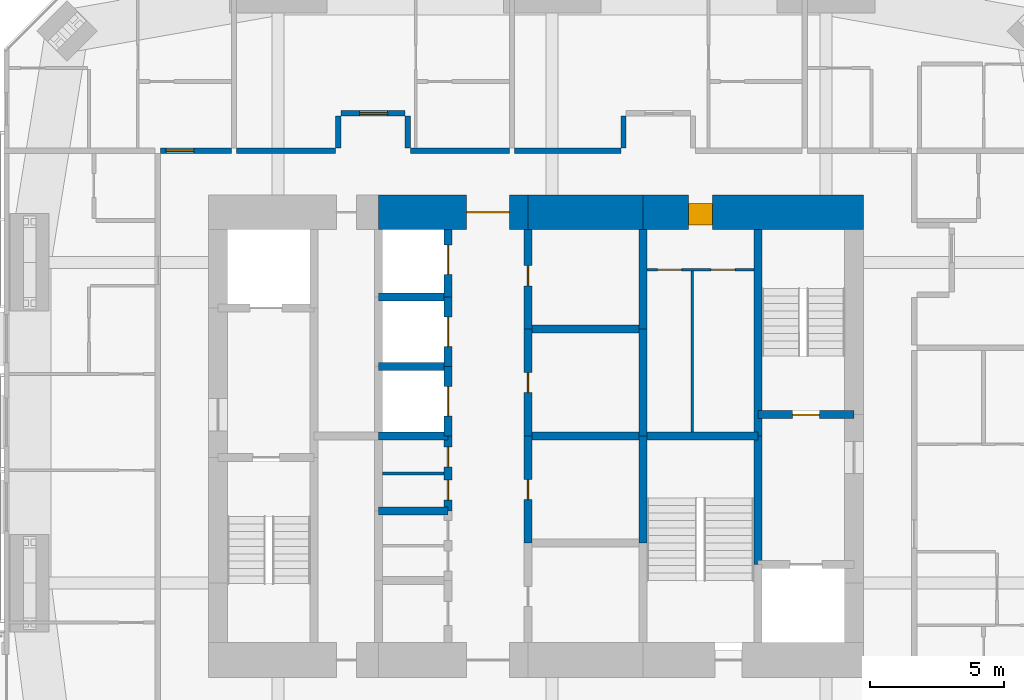
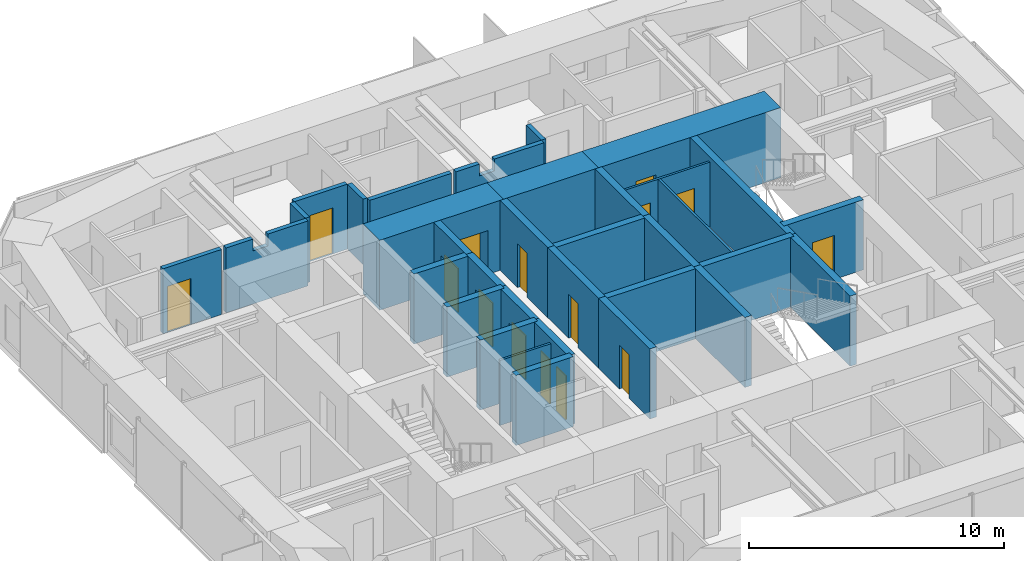
# One storey, part 19 of 23: 34 walls, 15 doors, 15 openings.
"""IFC4 building model written with IfcOpenShell, lengths in metres."""

from ifc_helpers import new_model, si_unit, direction, frame, frame_2d, origin, place, context, subcontext, project, spatial, polyline, rectangle, outline, extrude, material, layer, layer_set, constituent, constituent_set, type_object, element, fill, save


model = new_model("IFC4")

# Units and contexts
model_context = context("Model", 3, precision=1e-05, world=origin(), true_north=direction((0.0, 1.0)))
body_context = subcontext(model_context, "Body", "Model", "MODEL_VIEW")
ifc_project = project(units=[si_unit("LENGTHUNIT", "METRE"), si_unit("AREAUNIT", "SQUARE_METRE"), si_unit("VOLUMEUNIT", "CUBIC_METRE"), si_unit("PLANEANGLEUNIT", "RADIAN"), si_unit("MASSUNIT", "GRAM", prefix="KILO")], contexts=[model_context])

# Site, building, storey
site_placement = place(None, origin())
site = spatial("IfcSite", under=ifc_project, at=site_placement, CompositionType="ELEMENT")
building_placement = place(site_placement, origin())
building = spatial("IfcBuilding", under=site, at=building_placement, Name="Jalousie Tower", CompositionType="ELEMENT")
storey_placement = place(building_placement, frame((0.0, 0.0, 191.199951171875)))
storey = spatial("IfcBuildingStorey", under=building, at=storey_placement, Name="L52", CompositionType="ELEMENT", Elevation=191.199951171875)

# Wall, opening, door
ifc_material_1 = material(Name="Concrete f'c 120 MPa", Category="concrete")
ifc_layer_1 = layer(ifc_material_1, 1.300048828125)
ifc_layer_set_1 = layer_set([ifc_layer_1], Name="Concrete f'c 120 MPa")
wall_type_1 = type_object("IfcWallType", Name="CORE WALL 1300", PredefinedType="SHEAR", material=ifc_layer_set_1)
wall_1_placement = place(storey_placement, frame((44.14990234375, 26.875, 0.0), z_axis=(0.0, 0.0, 1.0), x_axis=(-1.0, 0.0, 0.0)))
wall_1 = element("IfcWall", 1, at=wall_1_placement, inside=storey, type_object=wall_type_1, Name="Core wall NA L52", PredefinedType="SHEAR", context=body_context, shape_type="SweptSolid", body=[
    extrude(rectangle(XDim=8.25, YDim=1.300048828125, at=frame_2d((4.125, 0.0))), origin(), (0.0, 0.0, 1.0), 3.35009765625),
])
opening_1_placement = place(wall_1_placement, frame((5.64990234375, 0.0, 0.0)))
opening_1 = element("IfcOpeningElement", 2, at=opening_1_placement, cuts=wall_1, Name="Opening D25", PredefinedType="OPENING", context=body_context, shape_type="SweptSolid", body=[
    extrude(rectangle(XDim=0.89990234375, YDim=2.10009765625, at=frame_2d((0.449951171875, 1.050048828125))), frame((0.0, 0.659912109375, 0.0), z_axis=(0.0, -1.0, 0.0), x_axis=(1.0, 0.0, 0.0)), (0.0, 0.0, 1.0), 1.320068359375),
])
ifc_material_2 = material(Name="Steel fire door", Category="steel")
door_type_1 = type_object("IfcDoorType", Name="SERVICE LOBBY DOOR 900", OperationType="SINGLE_SWING_LEFT", PredefinedType="DOOR", material=ifc_material_2)
door_1_placement = place(opening_1_placement, origin())
door_1 = element("IfcDoor", 3, at=door_1_placement, inside=storey, type_object=door_type_1, Name="Service lobby door", OperationType="SINGLE_SWING_RIGHT", OverallHeight=2.10009765625, OverallWidth=0.89990234375, PredefinedType="DOOR", context=body_context, shape_type="SweptSolid", body=[
    extrude(rectangle(XDim=0.89990234375, YDim=2.10009765625, at=frame_2d((0.449951171875, 1.050048828125))), frame((0.0, 0.47021484375, 0.0), z_axis=(0.0, -1.0, 0.0), x_axis=(1.0, 0.0, 0.0)), (0.0, 0.0, 1.0), 0.800048828125),
])
fill(opening_1, door_1)

# Wall
wall_2_placement = place(storey_placement, frame((35.89990234375, 26.875, 0.0), z_axis=(0.0, 0.0, 1.0), x_axis=(-1.0, 0.0, 0.0)))
element("IfcWall", 4, at=wall_2_placement, inside=storey, type_object=wall_type_1, Name="Core wall NB L52", PredefinedType="SHEAR", context=body_context, shape_type="SweptSolid", body=[
    extrude(rectangle(XDim=4.2998046875, YDim=1.300048828125, at=frame_2d((2.14990234375, 0.0))), origin(), (0.0, 0.0, 1.0), 3.35009765625),
])

# Wall, opening, door
wall_3_placement = place(storey_placement, frame((31.60009765625, 26.875, 0.0), z_axis=(0.0, 0.0, 1.0), x_axis=(-1.0, 0.0, 0.0)))
wall_3 = element("IfcWall", 5, at=wall_3_placement, inside=storey, type_object=wall_type_1, Name="Core wall NC L52", PredefinedType="SHEAR", context=body_context, shape_type="SweptSolid", body=[
    extrude(rectangle(XDim=5.60009765625, YDim=1.300048828125, at=frame_2d((2.800048828125, 0.0))), origin(), (0.0, 0.0, 1.0), 3.35009765625),
])
opening_2_placement = place(wall_3_placement, frame((0.699951171875, 0.0, 0.0)))
opening_2 = element("IfcOpeningElement", 6, at=opening_2_placement, cuts=wall_3, Name="Opening D15", PredefinedType="OPENING", context=body_context, shape_type="SweptSolid", body=[
    extrude(rectangle(XDim=1.60009765625, YDim=2.10009765625, at=frame_2d((0.800048828125, 1.050048828125))), frame((0.0, 0.659912109375, 0.0), z_axis=(0.0, -1.0, 0.0), x_axis=(1.0, 0.0, 0.0)), (0.0, 0.0, 1.0), 1.320068359375),
])
ifc_material_3 = material(Name="Steel fire door", Category="steel")
door_type_2 = type_object("IfcDoorType", Name="LIFT LOBBY DOOR 1600", OperationType="DOUBLE_DOOR_SINGLE_SWING", PredefinedType="DOOR", material=ifc_material_3)
door_2_placement = place(opening_2_placement, origin())
door_2 = element("IfcDoor", 7, at=door_2_placement, inside=storey, type_object=door_type_2, Name="Lift lobby north door", OperationType="DOUBLE_DOOR_SINGLE_SWING", OverallHeight=2.10009765625, OverallWidth=1.60009765625, PredefinedType="DOOR", context=body_context, shape_type="SweptSolid", body=[
    extrude(rectangle(XDim=1.60009765625, YDim=2.10009765625, at=frame_2d((0.800048828125, 1.050048828125))), frame((0.0, 0.02490234375, 0.0), z_axis=(0.0, -1.0, 0.0), x_axis=(1.0, 0.0, 0.0)), (0.0, 0.0, 1.0), 0.050048828125),
])
fill(opening_2, door_2)

# Wall, openings, doors
ifc_material_4 = material(Name="Concrete f'c 120 MPa", Category="concrete")
ifc_layer_2 = layer(ifc_material_4, 0.300048828125)
ifc_layer_set_2 = layer_set([ifc_layer_2], Name="Concrete f'c 120 MPa")
wall_type_2 = type_object("IfcWallType", Name="CORE WALL 300", PredefinedType="SHEAR", material=ifc_layer_set_2)
wall_4_placement = place(storey_placement, frame((28.60009765625, 15.699951171875, 0.0), z_axis=(0.0, 0.0, 1.0), x_axis=(0.0, 1.0, 0.0)))
wall_4 = element("IfcWall", 8, at=wall_4_placement, inside=storey, type_object=wall_type_2, Name="Core wall X28.6C L52", PredefinedType="SHEAR", context=body_context, shape_type="SweptSolid", body=[
    extrude(rectangle(XDim=2.800048828125, YDim=0.300048828125, at=frame_2d((1.39990234375, 0.0))), origin(), (0.0, 0.0, 1.0), 3.35009765625),
])
opening_3_placement = place(wall_4_placement, frame((0.39990234375, 0.0, 0.0)))
opening_3 = element("IfcOpeningElement", 9, at=opening_3_placement, cuts=wall_4, Name="Opening D27", PredefinedType="OPENING", context=body_context, shape_type="SweptSolid", body=[
    extrude(rectangle(XDim=0.75, YDim=2.10009765625, at=frame_2d((0.375, 1.050048828125))), frame((0.0, 0.159912109375, 0.0), z_axis=(0.0, -1.0, 0.0), x_axis=(1.0, 0.0, 0.0)), (0.0, 0.0, 1.0), 0.320068359375),
])
opening_4_placement = place(wall_4_placement, frame((1.64990234375, 0.0, 0.0)))
opening_4 = element("IfcOpeningElement", 10, at=opening_4_placement, cuts=wall_4, Name="Opening D27", PredefinedType="OPENING", context=body_context, shape_type="SweptSolid", body=[
    extrude(rectangle(XDim=0.75, YDim=2.10009765625, at=frame_2d((0.375, 1.050048828125))), frame((0.0, 0.159912109375, 0.0), z_axis=(0.0, -1.0, 0.0), x_axis=(1.0, 0.0, 0.0)), (0.0, 0.0, 1.0), 0.320068359375),
])
ifc_material_5 = material(Name="Steel fire door", Category="steel")
door_type_3 = type_object("IfcDoorType", Name="CORE ROOM DOOR 750", OperationType="SINGLE_SWING_LEFT", PredefinedType="DOOR", material=ifc_material_5)
door_3_placement = place(opening_3_placement, origin())
door_3 = element("IfcDoor", 11, at=door_3_placement, inside=storey, type_object=door_type_3, Name="Linen store door", OperationType="SINGLE_SWING_RIGHT", OverallHeight=2.10009765625, OverallWidth=0.75, PredefinedType="DOOR", context=body_context, shape_type="SweptSolid", body=[
    extrude(rectangle(XDim=0.75, YDim=2.10009765625, at=frame_2d((0.375, 1.050048828125))), frame((0.0, 0.02490234375, 0.0), z_axis=(0.0, -1.0, 0.0), x_axis=(1.0, 0.0, 0.0)), (0.0, 0.0, 1.0), 0.050048828125),
])
fill(opening_3, door_3)
door_4_placement = place(opening_4_placement, origin())
door_4 = element("IfcDoor", 12, at=door_4_placement, inside=storey, type_object=door_type_3, Name="Staff WC door", OperationType="SINGLE_SWING_LEFT", OverallHeight=2.10009765625, OverallWidth=0.75, PredefinedType="DOOR", context=body_context, shape_type="SweptSolid", body=[
    extrude(rectangle(XDim=0.75, YDim=2.10009765625, at=frame_2d((0.375, 1.050048828125))), frame((0.0, 0.02490234375, 0.0), z_axis=(0.0, -1.0, 0.0), x_axis=(1.0, 0.0, 0.0)), (0.0, 0.0, 1.0), 0.050048828125),
])
fill(opening_4, door_4)

# Wall, opening, door
wall_5_placement = place(storey_placement, frame((28.60009765625, 18.5, 0.0), z_axis=(0.0, 0.0, 1.0), x_axis=(0.0, 1.0, 0.0)))
wall_5 = element("IfcWall", 13, at=wall_5_placement, inside=storey, type_object=wall_type_2, Name="Core wall X28.6D L52", PredefinedType="SHEAR", context=body_context, shape_type="SweptSolid", body=[
    extrude(rectangle(XDim=2.60009765625, YDim=0.300048828125, at=frame_2d((1.300048828125, 0.0))), origin(), (0.0, 0.0, 1.0), 3.35009765625),
])
opening_5_placement = place(wall_5_placement, frame((0.75, 0.0, 0.0)))
opening_5 = element("IfcOpeningElement", 14, at=opening_5_placement, cuts=wall_5, Name="Opening LD1", PredefinedType="OPENING", context=body_context, shape_type="SweptSolid", body=[
    extrude(rectangle(XDim=1.10009765625, YDim=2.10009765625, at=frame_2d((0.550048828125, 1.050048828125))), frame((0.0, 0.159912109375, 0.0), z_axis=(0.0, -1.0, 0.0), x_axis=(1.0, 0.0, 0.0)), (0.0, 0.0, 1.0), 0.320068359375),
])
ifc_material_6 = material(Name="Steel lift landing door", Category="steel")
door_type_4 = type_object("IfcDoorType", Name="LIFT LANDING DOOR 1100", OperationType="SLIDING_TO_LEFT", PredefinedType="DOOR", material=ifc_material_6)
door_5_placement = place(opening_5_placement, origin())
door_5 = element("IfcDoor", 15, at=door_5_placement, inside=storey, type_object=door_type_4, Name="Lift P4 landing door", OperationType="SLIDING_TO_LEFT", OverallHeight=2.10009765625, OverallWidth=1.10009765625, PredefinedType="DOOR", context=body_context, shape_type="SweptSolid", body=[
    extrude(rectangle(XDim=1.10009765625, YDim=2.10009765625, at=frame_2d((0.550048828125, 1.050048828125))), frame((0.0, 0.02490234375, 0.0), z_axis=(0.0, -1.0, 0.0), x_axis=(1.0, 0.0, 0.0)), (0.0, 0.0, 1.0), 0.050048828125),
])
fill(opening_5, door_5)

wall_6_placement = place(storey_placement, frame((28.60009765625, 21.10009765625, 0.0), z_axis=(0.0, 0.0, 1.0), x_axis=(0.0, 1.0, 0.0)))
wall_6 = element("IfcWall", 16, at=wall_6_placement, inside=storey, type_object=wall_type_2, Name="Core wall X28.6E L52", PredefinedType="SHEAR", context=body_context, shape_type="SweptSolid", body=[
    extrude(rectangle(XDim=2.599853515625, YDim=0.300048828125, at=frame_2d((1.2998046875, 0.0))), origin(), (0.0, 0.0, 1.0), 3.35009765625),
])
opening_6_placement = place(wall_6_placement, frame((0.75, 0.0, 0.0)))
opening_6 = element("IfcOpeningElement", 17, at=opening_6_placement, cuts=wall_6, Name="Opening LD1", PredefinedType="OPENING", context=body_context, shape_type="SweptSolid", body=[
    extrude(rectangle(XDim=1.10009765625, YDim=2.10009765625, at=frame_2d((0.550048828125, 1.050048828125))), frame((0.0, 0.159912109375, 0.0), z_axis=(0.0, -1.0, 0.0), x_axis=(1.0, 0.0, 0.0)), (0.0, 0.0, 1.0), 0.320068359375),
])
door_6_placement = place(opening_6_placement, origin())
door_6 = element("IfcDoor", 18, at=door_6_placement, inside=storey, type_object=door_type_4, Name="Lift P5 landing door", OperationType="SLIDING_TO_LEFT", OverallHeight=2.10009765625, OverallWidth=1.10009765625, PredefinedType="DOOR", context=body_context, shape_type="SweptSolid", body=[
    extrude(rectangle(XDim=1.10009765625, YDim=2.10009765625, at=frame_2d((0.550048828125, 1.050048828125))), frame((0.0, 0.02490234375, 0.0), z_axis=(0.0, -1.0, 0.0), x_axis=(1.0, 0.0, 0.0)), (0.0, 0.0, 1.0), 0.050048828125),
])
fill(opening_6, door_6)

wall_7_placement = place(storey_placement, frame((28.60009765625, 23.699951171875, 0.0), z_axis=(0.0, 0.0, 1.0), x_axis=(0.0, 1.0, 0.0)))
wall_7 = element("IfcWall", 19, at=wall_7_placement, inside=storey, type_object=wall_type_2, Name="Core wall X28.6F L52", PredefinedType="SHEAR", context=body_context, shape_type="SweptSolid", body=[
    extrude(rectangle(XDim=2.525146484375, YDim=0.300048828125, at=frame_2d((1.2626953125, 0.0))), origin(), (0.0, 0.0, 1.0), 3.35009765625),
])
opening_7_placement = place(wall_7_placement, frame((0.85009765625, 0.0, 0.0)))
opening_7 = element("IfcOpeningElement", 20, at=opening_7_placement, cuts=wall_7, Name="Opening LD1", PredefinedType="OPENING", context=body_context, shape_type="SweptSolid", body=[
    extrude(rectangle(XDim=1.10009765625, YDim=2.10009765625, at=frame_2d((0.550048828125, 1.050048828125))), frame((0.0, 0.159912109375, 0.0), z_axis=(0.0, -1.0, 0.0), x_axis=(1.0, 0.0, 0.0)), (0.0, 0.0, 1.0), 0.320068359375),
])
door_7_placement = place(opening_7_placement, origin())
door_7 = element("IfcDoor", 21, at=door_7_placement, inside=storey, type_object=door_type_4, Name="Lift P6 landing door", OperationType="SLIDING_TO_LEFT", OverallHeight=2.10009765625, OverallWidth=1.10009765625, PredefinedType="DOOR", context=body_context, shape_type="SweptSolid", body=[
    extrude(rectangle(XDim=1.10009765625, YDim=2.10009765625, at=frame_2d((0.550048828125, 1.050048828125))), frame((0.0, 0.02490234375, 0.0), z_axis=(0.0, -1.0, 0.0), x_axis=(1.0, 0.0, 0.0)), (0.0, 0.0, 1.0), 0.050048828125),
])
fill(opening_7, door_7)

wall_8_placement = place(storey_placement, frame((31.60009765625, 14.5, 0.0), z_axis=(0.0, 0.0, 1.0), x_axis=(0.0, 1.0, 0.0)))
wall_8 = element("IfcWall", 22, at=wall_8_placement, inside=storey, type_object=wall_type_2, Name="Core wall X31.6B L52", PredefinedType="SHEAR", context=body_context, shape_type="SweptSolid", body=[
    extrude(rectangle(XDim=4.0, YDim=0.300048828125, at=frame_2d((2.0, 0.0))), origin(), (0.0, 0.0, 1.0), 3.35009765625),
])
opening_8_placement = place(wall_8_placement, frame((1.625, 0.0, 0.0)))
opening_8 = element("IfcOpeningElement", 23, at=opening_8_placement, cuts=wall_8, Name="Opening D16", PredefinedType="OPENING", context=body_context, shape_type="SweptSolid", body=[
    extrude(rectangle(XDim=0.75, YDim=2.10009765625, at=frame_2d((0.375, 1.050048828125))), frame((0.0, 0.159912109375, 0.0), z_axis=(0.0, -1.0, 0.0), x_axis=(1.0, 0.0, 0.0)), (0.0, 0.0, 1.0), 0.320068359375),
])
ifc_material_7 = material(Name="Steel fire door", Category="steel")
door_type_5 = type_object("IfcDoorType", Name="RISER DOOR 750", OperationType="SINGLE_SWING_LEFT", PredefinedType="DOOR", material=ifc_material_7)
door_8_placement = place(opening_8_placement, frame((0.75, 0.0, 0.0), z_axis=(0.0, 0.0, 1.0), x_axis=(-1.0, 0.0, 0.0)))
door_8 = element("IfcDoor", 24, at=door_8_placement, inside=storey, type_object=door_type_5, Name="Electrical Room door", OperationType="SINGLE_SWING_RIGHT", OverallHeight=2.10009765625, OverallWidth=0.75, PredefinedType="DOOR", context=body_context, shape_type="SweptSolid", body=[
    extrude(rectangle(XDim=0.75, YDim=2.10009765625, at=frame_2d((0.375, 1.050048828125))), frame((0.0, 0.02490234375, 0.0), z_axis=(0.0, -1.0, 0.0), x_axis=(1.0, 0.0, 0.0)), (0.0, 0.0, 1.0), 0.050048828125),
])
fill(opening_8, door_8)

wall_9_placement = place(storey_placement, frame((31.60009765625, 18.5, 0.0), z_axis=(0.0, 0.0, 1.0), x_axis=(0.0, 1.0, 0.0)))
wall_9 = element("IfcWall", 25, at=wall_9_placement, inside=storey, type_object=wall_type_2, Name="Core wall X31.6C L52", PredefinedType="SHEAR", context=body_context, shape_type="SweptSolid", body=[
    extrude(rectangle(XDim=4.0, YDim=0.300048828125, at=frame_2d((2.0, 0.0))), origin(), (0.0, 0.0, 1.0), 3.35009765625),
])
opening_9_placement = place(wall_9_placement, frame((1.625, 0.0, 0.0)))
opening_9 = element("IfcOpeningElement", 26, at=opening_9_placement, cuts=wall_9, Name="Opening D16", PredefinedType="OPENING", context=body_context, shape_type="SweptSolid", body=[
    extrude(rectangle(XDim=0.75, YDim=2.10009765625, at=frame_2d((0.375, 1.050048828125))), frame((0.0, 0.159912109375, 0.0), z_axis=(0.0, -1.0, 0.0), x_axis=(1.0, 0.0, 0.0)), (0.0, 0.0, 1.0), 0.320068359375),
])
door_9_placement = place(opening_9_placement, frame((0.75, 0.0, 0.0), z_axis=(0.0, 0.0, 1.0), x_axis=(-1.0, 0.0, 0.0)))
door_9 = element("IfcDoor", 27, at=door_9_placement, inside=storey, type_object=door_type_5, Name="Telecom Room door", OperationType="SINGLE_SWING_RIGHT", OverallHeight=2.10009765625, OverallWidth=0.75, PredefinedType="DOOR", context=body_context, shape_type="SweptSolid", body=[
    extrude(rectangle(XDim=0.75, YDim=2.10009765625, at=frame_2d((0.375, 1.050048828125))), frame((0.0, 0.02490234375, 0.0), z_axis=(0.0, -1.0, 0.0), x_axis=(1.0, 0.0, 0.0)), (0.0, 0.0, 1.0), 0.050048828125),
])
fill(opening_9, door_9)

wall_10_placement = place(storey_placement, frame((31.60009765625, 22.5, 0.0), z_axis=(0.0, 0.0, 1.0), x_axis=(0.0, 1.0, 0.0)))
wall_10 = element("IfcWall", 28, at=wall_10_placement, inside=storey, type_object=wall_type_2, Name="Core wall X31.6D L52", PredefinedType="SHEAR", context=body_context, shape_type="SweptSolid", body=[
    extrude(rectangle(XDim=3.72509765625, YDim=0.300048828125, at=frame_2d((1.862548828125, 0.0))), origin(), (0.0, 0.0, 1.0), 3.35009765625),
])
opening_10_placement = place(wall_10_placement, frame((1.625, 0.0, 0.0)))
opening_10 = element("IfcOpeningElement", 29, at=opening_10_placement, cuts=wall_10, Name="Opening D16", PredefinedType="OPENING", context=body_context, shape_type="SweptSolid", body=[
    extrude(rectangle(XDim=0.75, YDim=2.10009765625, at=frame_2d((0.375, 1.050048828125))), frame((0.0, 0.159912109375, 0.0), z_axis=(0.0, -1.0, 0.0), x_axis=(1.0, 0.0, 0.0)), (0.0, 0.0, 1.0), 0.320068359375),
])
door_10_placement = place(opening_10_placement, frame((0.75, 0.0, 0.0), z_axis=(0.0, 0.0, 1.0), x_axis=(-1.0, 0.0, 0.0)))
door_10 = element("IfcDoor", 30, at=door_10_placement, inside=storey, type_object=door_type_5, Name="Water Services Room door", OperationType="SINGLE_SWING_LEFT", OverallHeight=2.10009765625, OverallWidth=0.75, PredefinedType="DOOR", context=body_context, shape_type="SweptSolid", body=[
    extrude(rectangle(XDim=0.75, YDim=2.10009765625, at=frame_2d((0.375, 1.050048828125))), frame((0.0, 0.02490234375, 0.0), z_axis=(0.0, -1.0, 0.0), x_axis=(1.0, 0.0, 0.0)), (0.0, 0.0, 1.0), 0.050048828125),
])
fill(opening_10, door_10)

# Walls
for number, where, z_axis, x_axis, name in (
    (31, (35.89990234375, 14.5, 0.0), (0.0, 0.0, 1.0), (0.0, 1.0, 0.0), "Core wall X35.9B L52"),
    (32, (35.89990234375, 18.5, 0.0), (0.0, 0.0, 1.0), (0.0, 1.0, 0.0), "Core wall X35.9C L52"),
):
    element("IfcWall", number, at=place(storey_placement, frame(where, z_axis=z_axis, x_axis=x_axis)), inside=storey, type_object=wall_type_2, Name=name, PredefinedType="SHEAR", context=body_context, shape_type="SweptSolid", body=[
        extrude(rectangle(XDim=4.0, YDim=0.300048828125, at=frame_2d((2.0, 0.0))), origin(), (0.0, 0.0, 1.0), 3.35009765625),
    ])
wall_11_placement = place(storey_placement, frame((35.89990234375, 22.5, 0.0), z_axis=(0.0, 0.0, 1.0), x_axis=(0.0, 1.0, 0.0)))
element("IfcWall", 33, at=wall_11_placement, inside=storey, type_object=wall_type_2, Name="Core wall X35.9D L52", PredefinedType="SHEAR", context=body_context, shape_type="SweptSolid", body=[
    extrude(rectangle(XDim=3.72509765625, YDim=0.300048828125, at=frame_2d((1.862548828125, 0.0))), origin(), (0.0, 0.0, 1.0), 3.35009765625),
])
wall_12_placement = place(storey_placement, frame((40.199951171875, 13.699951171875, 0.0), z_axis=(0.0, 0.0, 1.0), x_axis=(0.0, 1.0, 0.0)))
element("IfcWall", 34, at=wall_12_placement, inside=storey, type_object=wall_type_2, Name="Core wall X40.2B L52", PredefinedType="SHEAR", context=body_context, shape_type="SweptSolid", body=[
    extrude(rectangle(XDim=4.800048828125, YDim=0.300048828125, at=frame_2d((2.39990234375, 0.0))), origin(), (0.0, 0.0, 1.0), 3.35009765625),
])
wall_13_placement = place(storey_placement, frame((40.199951171875, 18.5, 0.0), z_axis=(0.0, 0.0, 1.0), x_axis=(0.0, 1.0, 0.0)))
element("IfcWall", 35, at=wall_13_placement, inside=storey, type_object=wall_type_2, Name="Core wall X40.2C L52", PredefinedType="SHEAR", context=body_context, shape_type="SweptSolid", body=[
    extrude(rectangle(XDim=7.72509765625, YDim=0.300048828125, at=frame_2d((3.862548828125, 0.0))), origin(), (0.0, 0.0, 1.0), 3.35009765625),
])
for number, where, z_axis, x_axis, name in (
    (36, (26.0, 15.699951171875, 0.0), (0.0, 0.0, 1.0), (1.0, 0.0, 0.0), "Core wall Y26-15.7 L52"),
    (37, (26.0, 18.5, 0.0), (0.0, 0.0, 1.0), (1.0, 0.0, 0.0), "Core wall Y26-18.5 L52"),
    (38, (26.0, 21.10009765625, 0.0), (0.0, 0.0, 1.0), (1.0, 0.0, 0.0), "Core wall Y26-21.1 L52"),
    (39, (26.0, 23.699951171875, 0.0), (0.0, 0.0, 1.0), (1.0, 0.0, 0.0), "Core wall Y26-23.7 L52"),
):
    element("IfcWall", number, at=place(storey_placement, frame(where, z_axis=z_axis, x_axis=x_axis)), inside=storey, type_object=wall_type_2, Name=name, PredefinedType="SHEAR", context=body_context, shape_type="SweptSolid", body=[
        extrude(rectangle(XDim=2.60009765625, YDim=0.300048828125, at=frame_2d((1.300048828125, 0.0))), origin(), (0.0, 0.0, 1.0), 3.35009765625),
    ])
for number, where, z_axis, x_axis, name in (
    (40, (31.60009765625, 18.5, 0.0), (0.0, 0.0, 1.0), (1.0, 0.0, 0.0), "Core wall Y31.6-18.5 L52"),
    (41, (31.60009765625, 22.5, 0.0), (0.0, 0.0, 1.0), (1.0, 0.0, 0.0), "Core wall Y31.6-22.5 L52"),
):
    element("IfcWall", number, at=place(storey_placement, frame(where, z_axis=z_axis, x_axis=x_axis)), inside=storey, type_object=wall_type_2, Name=name, PredefinedType="SHEAR", context=body_context, shape_type="SweptSolid", body=[
        extrude(rectangle(XDim=4.2998046875, YDim=0.300048828125, at=frame_2d((2.14990234375, 0.0))), origin(), (0.0, 0.0, 1.0), 3.35009765625),
    ])
wall_14_placement = place(storey_placement, frame((35.89990234375, 18.5, 0.0), z_axis=(0.0, 0.0, 1.0), x_axis=(1.0, 0.0, 0.0)))
element("IfcWall", 42, at=wall_14_placement, inside=storey, type_object=wall_type_2, Name="Core wall Y35.9-18.5 L52", PredefinedType="SHEAR", context=body_context, shape_type="SweptSolid", body=[
    extrude(rectangle(XDim=4.300048828125, YDim=0.300048828125, at=frame_2d((2.14990234375, 0.0))), origin(), (0.0, 0.0, 1.0), 3.35009765625),
])

# Wall, opening, door
wall_15_placement = place(storey_placement, frame((40.199951171875, 19.300048828125, 0.0), z_axis=(0.0, 0.0, 1.0), x_axis=(1.0, 0.0, 0.0)))
wall_15 = element("IfcWall", 43, at=wall_15_placement, inside=storey, type_object=wall_type_2, Name="Core wall Y40.2-19.3 L52", PredefinedType="SHEAR", context=body_context, shape_type="SweptSolid", body=[
    extrude(rectangle(XDim=3.60009765625, YDim=0.300048828125, at=frame_2d((1.800048828125, 0.0))), origin(), (0.0, 0.0, 1.0), 3.35009765625),
])
opening_11_placement = place(wall_15_placement, frame((1.300048828125, 0.0, 0.0)))
opening_11 = element("IfcOpeningElement", 44, at=opening_11_placement, cuts=wall_15, Name="Opening D10", PredefinedType="OPENING", context=body_context, shape_type="SweptSolid", body=[
    extrude(rectangle(XDim=1.0, YDim=2.10009765625, at=frame_2d((0.5, 1.050048828125))), frame((0.0, 0.159912109375, 0.0), z_axis=(0.0, -1.0, 0.0), x_axis=(1.0, 0.0, 0.0)), (0.0, 0.0, 1.0), 0.320068359375),
])
ifc_material_8 = material(Name="Steel fire door", Category="steel")
door_type_6 = type_object("IfcDoorType", Name="STAIR DOOR 1000", OperationType="SINGLE_SWING_LEFT", PredefinedType="DOOR", material=ifc_material_8)
door_11_placement = place(opening_11_placement, origin())
door_11 = element("IfcDoor", 45, at=door_11_placement, inside=storey, type_object=door_type_6, Name="Exit stair B door", OperationType="SINGLE_SWING_RIGHT", OverallHeight=2.10009765625, OverallWidth=1.0, PredefinedType="DOOR", context=body_context, shape_type="SweptSolid", body=[
    extrude(rectangle(XDim=1.0, YDim=2.10009765625, at=frame_2d((0.5, 1.050048828125))), frame((0.0, 0.02490234375, 0.0), z_axis=(0.0, -1.0, 0.0), x_axis=(1.0, 0.0, 0.0)), (0.0, 0.0, 1.0), 0.050048828125),
])
fill(opening_11, door_11)

ifc_material_9 = material(Name="Concrete block ASTM C90", Category="concrete")
ifc_constituent_1 = constituent(ifc_material_9, Name="Body")
ifc_material_10 = material(Name="Render")
ifc_constituent_2 = constituent(ifc_material_10, Name="Finish")
ifc_constituent_set_1 = constituent_set(constituents=[ifc_constituent_1, ifc_constituent_2])
wall_type_3 = type_object("IfcWallType", Name="CORRIDOR WALL 200", PredefinedType="PARTITIONING", material=ifc_constituent_set_1)
wall_16_placement = place(storey_placement, frame((17.85009765625, 29.175048828125, 0.0), z_axis=(0.0, 0.0, 1.0), x_axis=(1.0, 0.0, 0.0)))
wall_16 = element("IfcWall", 46, at=wall_16_placement, inside=storey, type_object=wall_type_3, Name="Corridor Wall 200 L52", PredefinedType="PARTITIONING", context=body_context, shape_type="SweptSolid", body=[
    extrude(rectangle(XDim=2.64990234375, YDim=0.199951171875, at=frame_2d((1.324951171875, 0.0))), origin(), (0.0, 0.0, 1.0), 3.110107421875),
])
opening_12_placement = place(wall_16_placement, frame((0.199951171875, 0.0, 0.0)))
opening_12 = element("IfcOpeningElement", 47, at=opening_12_placement, cuts=wall_16, Name="Opening D1", PredefinedType="OPENING", context=body_context, shape_type="SweptSolid", body=[
    extrude(rectangle(XDim=1.050048828125, YDim=2.199951171875, at=frame_2d((0.52490234375, 1.10009765625))), frame((0.0, 0.10986328125, 0.0), z_axis=(0.0, -1.0, 0.0), x_axis=(1.0, 0.0, 0.0)), (0.0, 0.0, 1.0), 0.219970703125),
])
ifc_material_11 = material(Name="Timber fire door", Category="wood")
door_type_7 = type_object("IfcDoorType", Name="APARTMENT ENTRANCE DOOR 1050", OperationType="SINGLE_SWING_LEFT", PredefinedType="DOOR", material=ifc_material_11)
door_12_placement = place(opening_12_placement, origin())
door_12 = element("IfcDoor", 48, at=door_12_placement, inside=storey, type_object=door_type_7, Name="Apartment 5204 entrance", OperationType="SINGLE_SWING_LEFT", OverallHeight=2.199951171875, OverallWidth=1.050048828125, PredefinedType="DOOR", context=body_context, shape_type="SweptSolid", body=[
    extrude(rectangle(XDim=1.050048828125, YDim=2.199951171875, at=frame_2d((0.52490234375, 1.10009765625))), frame((0.0, 0.02490234375, 0.0), z_axis=(0.0, -1.0, 0.0), x_axis=(1.0, 0.0, 0.0)), (0.0, 0.0, 1.0), 0.050048828125),
])
fill(opening_12, door_12)

# Walls
wall_17_placement = place(storey_placement, frame((20.699951171875, 29.175048828125, 0.0), z_axis=(0.0, 0.0, 1.0), x_axis=(1.0, 0.0, 0.0)))
element("IfcWall", 49, at=wall_17_placement, inside=storey, type_object=wall_type_3, Name="Corridor Wall 200 L52", PredefinedType="PARTITIONING", context=body_context, shape_type="SweptSolid", body=[
    extrude(outline(polyline([(0.0, 0.0), (3.699951171875, 0.0), (3.699951171875, 3.110107421875), (1.88720703125, 3.110107421875), (1.88720703125, 2.541015625), (1.212646484375, 2.541015625), (1.212646484375, 3.110107421875), (0.0, 3.110107421875), (0.0, 0.0)])), frame((0.0, 0.10009765625, 0.0), z_axis=(0.0, -1.0, 0.0), x_axis=(1.0, 0.0, 0.0)), (0.0, 0.0, 1.0), 0.199951171875),
])
wall_18_placement = place(storey_placement, frame((31.10009765625, 29.175048828125, 0.0), z_axis=(0.0, 0.0, 1.0), x_axis=(1.0, 0.0, 0.0)))
element("IfcWall", 50, at=wall_18_placement, inside=storey, type_object=wall_type_3, Name="Corridor Wall 200 L52", PredefinedType="PARTITIONING", context=body_context, shape_type="SweptSolid", body=[
    extrude(outline(polyline([(0.0, 0.0), (3.974853515625, 0.0), (3.97509765625, 3.110107421875), (1.7373046875, 3.110107421875), (1.7373046875, 2.541015625), (1.0625, 2.541015625), (1.0625, 3.110107421875), (0.0, 3.110107421875), (0.0, 0.0)])), frame((0.0, 0.10009765625, 0.0), z_axis=(0.0, -1.0, 0.0), x_axis=(1.0, 0.0, 0.0)), (0.0, 0.0, 1.0), 0.199951171875),
])
wall_19_placement = place(storey_placement, frame((27.199951171875, 29.175048828125, 0.0), z_axis=(0.0, 0.0, 1.0), x_axis=(1.0, 0.0, 0.0)))
element("IfcWall", 51, at=wall_19_placement, inside=storey, type_object=wall_type_3, Name="Corridor Wall 200 L52", PredefinedType="PARTITIONING", context=body_context, shape_type="SweptSolid", body=[
    extrude(rectangle(XDim=3.699951171875, YDim=0.199951171875, at=frame_2d((1.85009765625, 0.0))), origin(), (0.0, 0.0, 1.0), 3.110107421875),
])

# Wall, opening, door
wall_20_placement = place(storey_placement, frame((24.60009765625, 30.574951171875, 0.0), z_axis=(0.0, 0.0, 1.0), x_axis=(1.0, 0.0, 0.0)))
wall_20 = element("IfcWall", 52, at=wall_20_placement, inside=storey, type_object=wall_type_3, Name="Corridor Wall 200 L52", PredefinedType="PARTITIONING", context=body_context, shape_type="SweptSolid", body=[
    extrude(rectangle(XDim=2.39990234375, YDim=0.199951171875, at=frame_2d((1.199951171875, 0.0))), origin(), (0.0, 0.0, 1.0), 3.110107421875),
])
opening_13_placement = place(wall_20_placement, frame((0.699951171875, 0.0, 0.0)))
opening_13 = element("IfcOpeningElement", 53, at=opening_13_placement, cuts=wall_20, Name="Opening D1", PredefinedType="OPENING", context=body_context, shape_type="SweptSolid", body=[
    extrude(rectangle(XDim=1.050048828125, YDim=2.199951171875, at=frame_2d((0.52490234375, 1.10009765625))), frame((0.0, 0.10986328125, 0.0), z_axis=(0.0, -1.0, 0.0), x_axis=(1.0, 0.0, 0.0)), (0.0, 0.0, 1.0), 0.219970703125),
])
door_13_placement = place(opening_13_placement, origin())
door_13 = element("IfcDoor", 54, at=door_13_placement, inside=storey, type_object=door_type_7, Name="Apartment 5205 entrance", OperationType="SINGLE_SWING_RIGHT", OverallHeight=2.199951171875, OverallWidth=1.050048828125, PredefinedType="DOOR", context=body_context, shape_type="SweptSolid", body=[
    extrude(rectangle(XDim=1.050048828125, YDim=2.199951171875, at=frame_2d((0.52490234375, 1.10009765625))), frame((0.0, 0.02490234375, 0.0), z_axis=(0.0, -1.0, 0.0), x_axis=(1.0, 0.0, 0.0)), (0.0, 0.0, 1.0), 0.050048828125),
])
fill(opening_13, door_13)

# Walls
for number, where, z_axis, x_axis, name in (
    (55, (24.5, 29.27490234375, 0.0), (0.0, 0.0, 1.0), (0.0, 1.0, 0.0), "Corridor Wall 200 L52"),
    (56, (27.10009765625, 29.27490234375, 0.0), (0.0, 0.0, 1.0), (0.0, 1.0, 0.0), "Corridor Wall 200 L52"),
    (57, (35.175048828125, 29.27490234375, 0.0), (0.0, 0.0, 1.0), (0.0, 1.0, 0.0), "Corridor Wall 200 L52"),
):
    element("IfcWall", number, at=place(storey_placement, frame(where, z_axis=z_axis, x_axis=x_axis)), inside=storey, type_object=wall_type_3, Name=name, PredefinedType="PARTITIONING", context=body_context, shape_type="SweptSolid", body=[
        extrude(rectangle(XDim=1.2001953125, YDim=0.199951171875, at=frame_2d((0.60009765625, 0.0))), origin(), (0.0, 0.0, 1.0), 3.110107421875),
    ])

# Wall, openings, doors
ifc_material_12 = material(Name="Gypsum board", Category="gypsum")
ifc_constituent_3 = constituent(ifc_material_12, Name="Body")
ifc_material_13 = material(Name="Light-gauge steel studs ASTM A653 SS Grade 33", Category="steel")
ifc_constituent_4 = constituent(ifc_material_13, Name="Framing")
ifc_constituent_set_2 = constituent_set(constituents=[ifc_constituent_3, ifc_constituent_4])
wall_type_4 = type_object("IfcWallType", Name="PARTITION 100", PredefinedType="PARTITIONING", material=ifc_constituent_set_2)
wall_21_placement = place(storey_placement, frame((36.050048828125, 24.72509765625, 0.0), z_axis=(0.0, 0.0, 1.0), x_axis=(1.0, 0.0, 0.0)))
wall_21 = element("IfcWall", 58, at=wall_21_placement, inside=storey, type_object=wall_type_4, Name="Partition 100 L52", PredefinedType="PARTITIONING", context=body_context, shape_type="SweptSolid", body=[
    extrude(rectangle(XDim=4.0, YDim=0.10009765625, at=frame_2d((2.0, 0.0))), origin(), (0.0, 0.0, 1.0), 3.110107421875),
])
opening_14_placement = place(wall_21_placement, frame((0.39990234375, 0.0, 0.0)))
opening_14 = element("IfcOpeningElement", 59, at=opening_14_placement, cuts=wall_21, Name="Opening D7", PredefinedType="OPENING", context=body_context, shape_type="SweptSolid", body=[
    extrude(rectangle(XDim=0.89990234375, YDim=2.10009765625, at=frame_2d((0.449951171875, 1.050048828125))), frame((0.0, 0.06005859375, 0.0), z_axis=(0.0, -1.0, 0.0), x_axis=(1.0, 0.0, 0.0)), (0.0, 0.0, 1.0), 0.1201171875),
])
opening_15_placement = place(wall_21_placement, frame((2.39990234375, 0.0, 0.0)))
opening_15 = element("IfcOpeningElement", 60, at=opening_15_placement, cuts=wall_21, Name="Opening D7", PredefinedType="OPENING", context=body_context, shape_type="SweptSolid", body=[
    extrude(rectangle(XDim=0.89990234375, YDim=2.10009765625, at=frame_2d((0.449951171875, 1.050048828125))), frame((0.0, 0.06005859375, 0.0), z_axis=(0.0, -1.0, 0.0), x_axis=(1.0, 0.0, 0.0)), (0.0, 0.0, 1.0), 0.1201171875),
])
ifc_material_14 = material(Name="Timber door", Category="wood")
door_type_8 = type_object("IfcDoorType", Name="INTERNAL DOOR 900", OperationType="SINGLE_SWING_LEFT", PredefinedType="DOOR", material=ifc_material_14)
door_14_placement = place(opening_14_placement, frame((0.89990234375, 0.0, 0.0), z_axis=(0.0, 0.0, 1.0), x_axis=(-1.0, 0.0, 0.0)))
door_14 = element("IfcDoor", 61, at=door_14_placement, inside=storey, type_object=door_type_8, Name="Staff WC door", OperationType="SINGLE_SWING_LEFT", OverallHeight=2.10009765625, OverallWidth=0.89990234375, PredefinedType="DOOR", context=body_context, shape_type="SweptSolid", body=[
    extrude(rectangle(XDim=0.89990234375, YDim=2.10009765625, at=frame_2d((0.449951171875, 1.050048828125))), frame((0.0, 0.02490234375, 0.0), z_axis=(0.0, -1.0, 0.0), x_axis=(1.0, 0.0, 0.0)), (0.0, 0.0, 1.0), 0.050048828125),
])
fill(opening_14, door_14)
door_15_placement = place(opening_15_placement, frame((0.89990234375, 0.0, 0.0), z_axis=(0.0, 0.0, 1.0), x_axis=(-1.0, 0.0, 0.0)))
door_15 = element("IfcDoor", 62, at=door_15_placement, inside=storey, type_object=door_type_8, Name="Pantry door", OperationType="SINGLE_SWING_RIGHT", OverallHeight=2.10009765625, OverallWidth=0.89990234375, PredefinedType="DOOR", context=body_context, shape_type="SweptSolid", body=[
    extrude(rectangle(XDim=0.89990234375, YDim=2.10009765625, at=frame_2d((0.449951171875, 1.050048828125))), frame((0.0, 0.02490234375, 0.0), z_axis=(0.0, -1.0, 0.0), x_axis=(1.0, 0.0, 0.0)), (0.0, 0.0, 1.0), 0.050048828125),
])
fill(opening_15, door_15)

# Walls
wall_22_placement = place(storey_placement, frame((37.75, 18.64990234375, 0.0), z_axis=(0.0, 0.0, 1.0), x_axis=(0.0, 1.0, 0.0)))
element("IfcWall", 63, at=wall_22_placement, inside=storey, type_object=wall_type_4, Name="Partition 100 L52", PredefinedType="PARTITIONING", context=body_context, shape_type="SweptSolid", body=[
    extrude(rectangle(XDim=6.025146484375, YDim=0.10009765625, at=frame_2d((3.0126953125, 0.0))), origin(), (0.0, 0.0, 1.0), 3.110107421875),
])
wall_23_placement = place(storey_placement, frame((26.14990234375, 17.10009765625, 0.0), z_axis=(0.0, 0.0, 1.0), x_axis=(1.0, 0.0, 0.0)))
element("IfcWall", 64, at=wall_23_placement, inside=storey, type_object=wall_type_4, Name="Partition 100 L52", PredefinedType="PARTITIONING", context=body_context, shape_type="SweptSolid", body=[
    extrude(rectangle(XDim=2.300048828125, YDim=0.10009765625, at=frame_2d((1.14990234375, 0.0))), origin(), (0.0, 0.0, 1.0), 3.110107421875),
])

save(model, "model.ifc")
